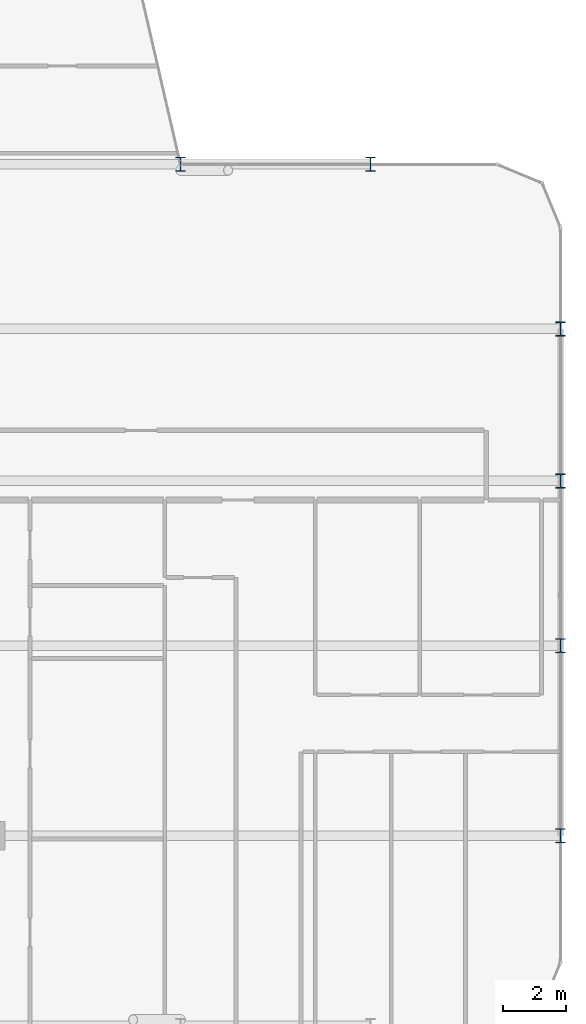
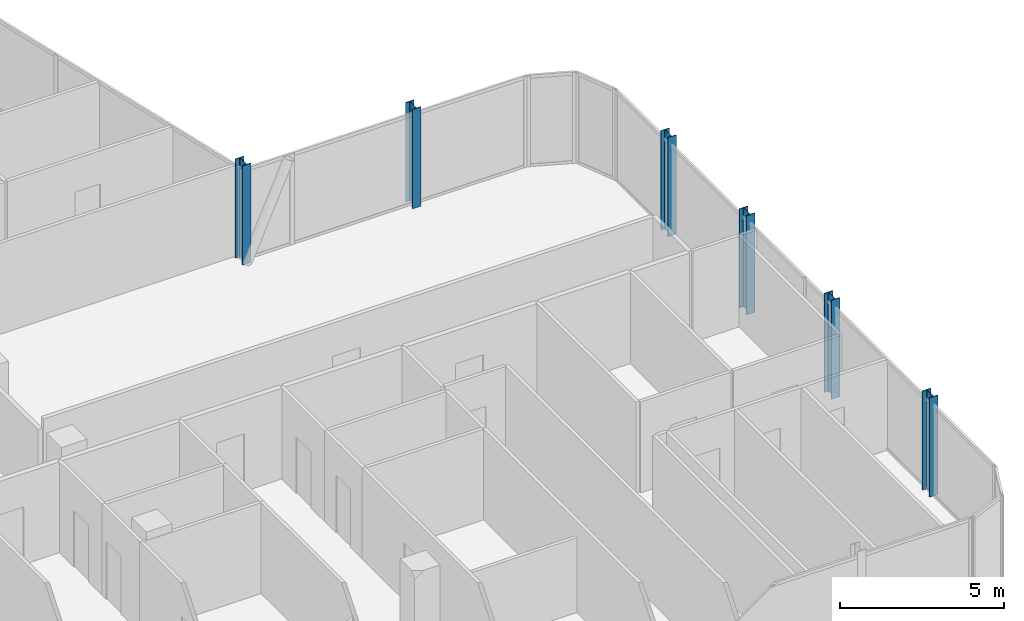
# One storey, part 2 of 29: 6 columns.
"""IFC4 building model written with IfcOpenShell, lengths in metres."""

from ifc_helpers import new_model, si_unit, direction, frame, origin, origin_2d, place, context, subcontext, project, spatial, i_section, extrude, material, material_profile, profile_set, type_object, element, save


model = new_model("IFC4")

# Units and contexts
model_context = context("Model", 3, precision=1e-05, world=origin(), true_north=direction((0.0, 1.0)))
body_context = subcontext(model_context, "Body", "Model", "MODEL_VIEW")
ifc_project = project(units=[si_unit("LENGTHUNIT", "METRE"), si_unit("AREAUNIT", "SQUARE_METRE"), si_unit("VOLUMEUNIT", "CUBIC_METRE"), si_unit("PLANEANGLEUNIT", "RADIAN"), si_unit("MASSUNIT", "GRAM", prefix="KILO")], contexts=[model_context])

# Site, building, storey
site_placement = place(None, origin())
site = spatial("IfcSite", under=ifc_project, at=site_placement, CompositionType="ELEMENT")
building_placement = place(site_placement, origin())
building = spatial("IfcBuilding", under=site, at=building_placement, Name="Keshet Zoharim Tower", CompositionType="ELEMENT")
storey_placement = place(building_placement, frame((0.0, 0.0, 199.5)))
storey = spatial("IfcBuildingStorey", under=building, at=storey_placement, Name="L49", CompositionType="ELEMENT", Elevation=199.5)

# Columns
ifc_material = material(Name="Steel S355", Category="steel")
ifc_material_profile = material_profile(ifc_material, i_section(OverallWidth=0.300048828125, OverallDepth=0.449951171875, WebThickness=0.013916015625, FlangeThickness=0.02587890625, FilletRadius=0.027099609375, at=origin_2d()), Name="HEB450")
ifc_profile_set = profile_set([ifc_material_profile], Name="Steel S355")
column_type = type_object("IfcColumnType", Name="COL-HEB450", PredefinedType="COLUMN", material=ifc_profile_set)
for number, where, z_axis, x_axis, name in (
    (1, (45.0, 27.89990234375, 0.0), (0.0, 0.0, 1.0), (1.0, 0.0, 0.0), "L49 Column 8F"),
    (2, (51.0, 27.89990234375, 0.0), (0.0, 0.0, 1.0), (1.0, 0.0, 0.0), "L49 Column 9F"),
    (3, (57.0, 6.699951171875, 0.0), (0.0, 0.0, 1.0), (1.0, 0.0, 0.0), "L49 Column 10B"),
    (4, (57.0, 12.699951171875, 0.0), (0.0, 0.0, 1.0), (1.0, 0.0, 0.0), "L49 Column 10C"),
    (5, (57.0, 17.89990234375, 0.0), (0.0, 0.0, 1.0), (1.0, 0.0, 0.0), "L49 Column 10D"),
    (6, (57.0, 22.699951171875, 0.0), (0.0, 0.0, 1.0), (1.0, 0.0, 0.0), "L49 Column 10E"),
):
    element("IfcColumn", number, at=place(storey_placement, frame(where, z_axis=z_axis, x_axis=x_axis)), inside=storey, type_object=column_type, Name=name, PredefinedType="COLUMN", context=body_context, shape_type="SweptSolid", body=[
        extrude(i_section(OverallWidth=0.300048828125, OverallDepth=0.449951171875, WebThickness=0.013916015625, FlangeThickness=0.02587890625, FilletRadius=0.027099609375, at=origin_2d()), origin(), (0.0, 0.0, 1.0), 3.699951171875),
    ])

save(model, "model.ifc")
